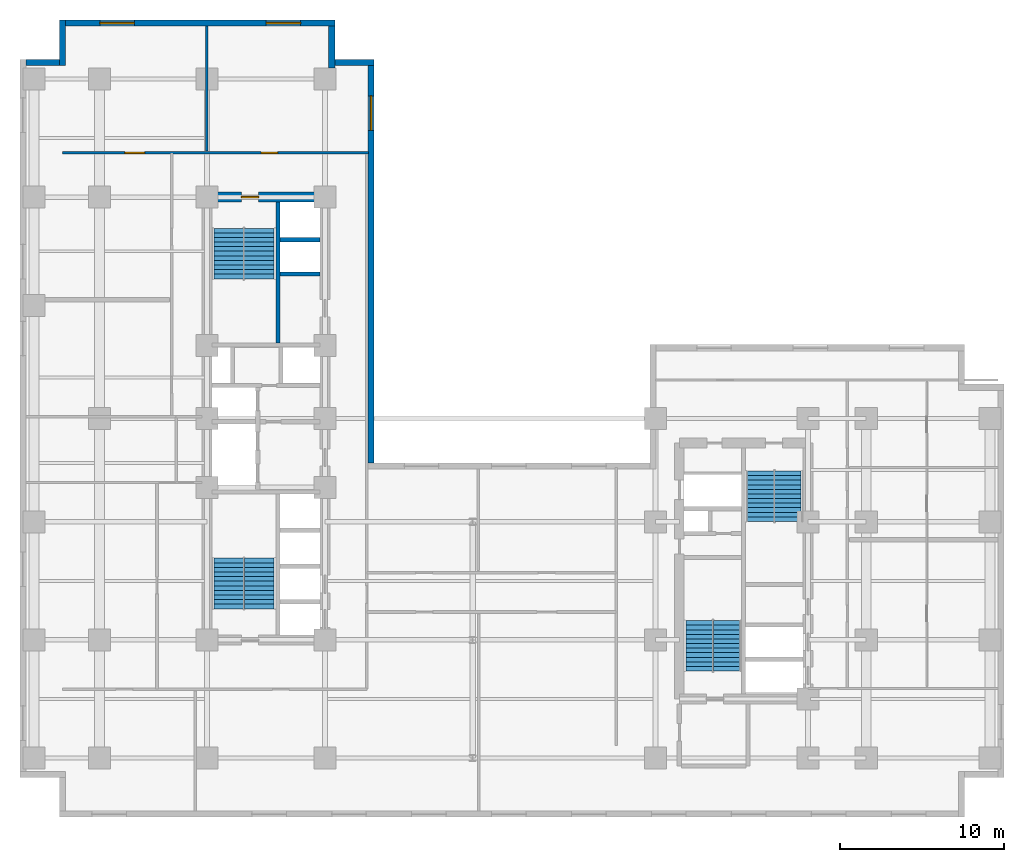
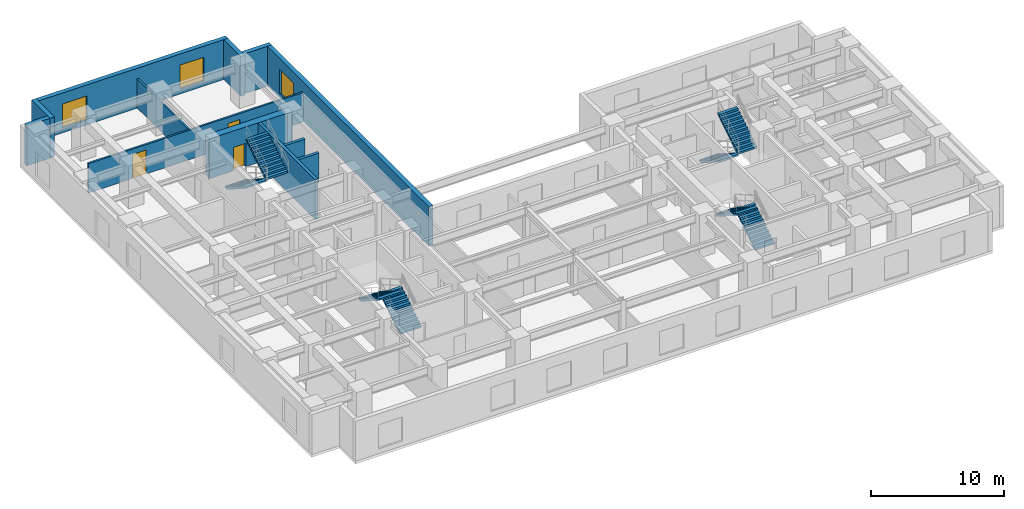
# One storey, part 6 of 9: 12 walls, 8 stair flights, 3 doors, 3 windows, 6 openings, 4 elements without a shape of their own.
"""IFC4 building model written with IfcOpenShell, lengths in metres."""

from ifc_helpers import new_model, entity, si_unit, converted_unit, direction, frame, origin_with_axes, origin_2d_with_axis, place, context, subcontext, project, spatial, polyline, rectangle, outline, extrude, material, layer, layer_set, type_object, element, fill, aggregate, save


model = new_model("IFC4")

# Units and contexts
model_context = context("Model", 3, precision=1e-05, world=origin_with_axes(), true_north=direction((0.0, 1.0)))
body_context = subcontext(model_context, "Body", "Model", "MODEL_VIEW")
ifc_project = project(units=[si_unit("LENGTHUNIT", "METRE"), si_unit("AREAUNIT", "SQUARE_METRE"), si_unit("VOLUMEUNIT", "CUBIC_METRE"), converted_unit("PLANEANGLEUNIT", "DEGREE", entity("IfcPlaneAngleMeasure", 0.017453292519943295), si_unit("PLANEANGLEUNIT", "RADIAN"), dimensions=[0, 0, 0, 0, 0, 0, 0]), si_unit("MASSUNIT", "GRAM", prefix="KILO"), si_unit("THERMODYNAMICTEMPERATUREUNIT", "KELVIN")], contexts=[model_context])

# Site, building, storey
site_placement = place(None, origin_with_axes())
site = spatial("IfcSite", under=ifc_project, at=site_placement, CompositionType="ELEMENT")
building_placement = place(site_placement, origin_with_axes())
building = spatial("IfcBuilding", under=site, at=building_placement, Name="Varnlund Millrace Tower", CompositionType="ELEMENT")
storey_placement = place(building_placement, frame((0.0, 0.0, 36.6), z_axis=(0.0, 0.0, 1.0), x_axis=(1.0, 0.0, 0.0)))
storey = spatial("IfcBuildingStorey", under=building, at=storey_placement, Name="L08", CompositionType="ELEMENT", Elevation=36.6)

# Wall, opening, door
ifc_material_1 = material(Name="Concrete C80/95", Category="concrete")
ifc_layer_1 = layer(ifc_material_1, 0.6, Name="Concrete C80/95")
ifc_layer_set_1 = layer_set([ifc_layer_1], Name="Concrete C80/95")
wall_type_1 = type_object("IfcWallType", Name="Type-CoreWall-Shear-600-C80", PredefinedType="SHEAR", material=ifc_layer_set_1)
wall_1_placement = place(storey_placement, frame((11.4, 37.8, 0.0), z_axis=(0.0, 0.0, 1.0), x_axis=(1.0, 0.0, 0.0)))
wall_1 = element("IfcWall", 1, at=wall_1_placement, inside=storey, type_object=wall_type_1, Name="Type-CoreWall-Shear-600-C80", PredefinedType="SHEAR", context=body_context, shape_type="SweptSolid", body=[
    extrude(outline(polyline([(0.0, -0.3), (7.2, -0.3), (7.2, 0.3), (0.0, 0.3), (0.0, -0.3)])), origin_with_axes(), (0.0, 0.0, 1.0), 3.66),
])
opening_1_placement = place(wall_1_placement, frame((2.625, 0.0, 0.0), z_axis=(0.0, 0.0, 1.0), x_axis=(1.0, 0.0, 0.0)))
opening_1 = element("IfcOpeningElement", 2, at=opening_1_placement, cuts=wall_1, Name="Opening L08:DR-STA2", PredefinedType="OPENING", context=body_context, shape_type="SweptSolid", body=[
    extrude(rectangle(XDim=1.05, YDim=0.62, at=origin_2d_with_axis()), origin_with_axes(), (0.0, 0.0, 1.0), 2.15),
])
ifc_material_2 = material(Name="Fire-rated hollow steel door", Category="steel")
door_type_1 = type_object("IfcDoorType", Name="Type-FireDoor-Stair-1050X2150", OperationType="NOTDEFINED", PredefinedType="DOOR", material=ifc_material_2)
door_1_placement = place(wall_1_placement, frame((2.625, 0.0, 0.0), z_axis=(0.0, 0.0, 1.0), x_axis=(1.0, 0.0, 0.0)))
door_1 = element("IfcDoor", 3, at=door_1_placement, inside=storey, type_object=door_type_1, Name="Type-FireDoor-Stair-1050X2150", OperationType="SINGLE_SWING_RIGHT", OverallHeight=2.15, OverallWidth=1.05, PredefinedType="DOOR", context=body_context, shape_type="SweptSolid", body=[
    extrude(rectangle(XDim=1.05, YDim=0.09, at=origin_2d_with_axis()), origin_with_axes(), (0.0, 0.0, 1.0), 2.15),
])
fill(opening_1, door_1)

# Walls
ifc_material_3 = material(Name="Precast concrete C50/60", Category="concrete")
ifc_layer_2 = layer(ifc_material_3, 0.38, Name="Precast concrete C50/60")
ifc_layer_set_2 = layer_set([ifc_layer_2], Name="Precast concrete C50/60")
wall_type_2 = type_object("IfcWallType", Name="Type-ExtWall-Precast-Tube-380", PredefinedType="SOLIDWALL", material=ifc_layer_set_2)
wall_2_placement = place(storey_placement, frame((0.38, 46.01, 0.0), z_axis=(0.0, 0.0, 1.0), x_axis=(1.0, 0.0, 0.0)))
element("IfcWall", 4, at=wall_2_placement, inside=storey, type_object=wall_type_2, Name="Type-ExtWall-Precast-Tube-380", PredefinedType="SOLIDWALL", context=body_context, shape_type="SweptSolid", body=[
    extrude(outline(polyline([(0.0, -0.19), (2.02, -0.19), (2.02, 0.19), (0.0, 0.19), (0.0, -0.19)])), origin_with_axes(), (0.0, 0.0, 1.0), 3.66),
])
wall_3_placement = place(storey_placement, frame((2.59, 45.82, 0.0), z_axis=(0.0, 0.0, 1.0), x_axis=(0.0, 1.0, 0.0)))
element("IfcWall", 5, at=wall_3_placement, inside=storey, type_object=wall_type_2, Name="Type-ExtWall-Precast-Tube-380", PredefinedType="SOLIDWALL", context=body_context, shape_type="SweptSolid", body=[
    extrude(outline(polyline([(0.0, -0.19), (2.78, -0.19), (2.78, 0.19), (0.0, 0.19), (0.0, -0.19)])), origin_with_axes(), (0.0, 0.0, 1.0), 3.66),
])

# Wall, openings, windows
wall_4_placement = place(storey_placement, frame((2.78, 48.41, 0.0), z_axis=(0.0, 0.0, 1.0), x_axis=(1.0, 0.0, 0.0)))
wall_4 = element("IfcWall", 6, at=wall_4_placement, inside=storey, type_object=wall_type_2, Name="Type-ExtWall-Precast-Tube-380", PredefinedType="SOLIDWALL", context=body_context, shape_type="SweptSolid", body=[
    extrude(outline(polyline([(0.0, -0.19), (16.42, -0.19), (16.42, 0.19), (0.0, 0.19), (0.0, -0.19)])), origin_with_axes(), (0.0, 0.0, 1.0), 3.66),
])
opening_2_placement = place(wall_4_placement, frame((3.137, 0.0, 0.45), z_axis=(0.0, 0.0, 1.0), x_axis=(1.0, 0.0, 0.0)))
opening_2 = element("IfcOpeningElement", 7, at=opening_2_placement, cuts=wall_4, Name="Opening L08:WN-20", PredefinedType="OPENING", context=body_context, shape_type="SweptSolid", body=[
    extrude(rectangle(XDim=2.1, YDim=0.4, at=origin_2d_with_axis()), origin_with_axes(), (0.0, 0.0, 1.0), 2.2),
])
opening_3_placement = place(wall_4_placement, frame((13.283, 0.0, 0.45), z_axis=(0.0, 0.0, 1.0), x_axis=(1.0, 0.0, 0.0)))
opening_3 = element("IfcOpeningElement", 8, at=opening_3_placement, cuts=wall_4, Name="Opening L08:WN-21", PredefinedType="OPENING", context=body_context, shape_type="SweptSolid", body=[
    extrude(rectangle(XDim=2.1, YDim=0.4, at=origin_2d_with_axis()), origin_with_axes(), (0.0, 0.0, 1.0), 2.2),
])
ifc_material_4 = material(Name="Argon low-e triple glazing in thermally broken bronze frame", Category="glass")
window_type = type_object("IfcWindowType", Name="Type-Window-Punched-2100X2200", PartitioningType="SINGLE_PANEL", PredefinedType="WINDOW", material=ifc_material_4)
window_1_placement = place(wall_4_placement, frame((3.137, 0.0, 0.45), z_axis=(0.0, 0.0, 1.0), x_axis=(1.0, 0.0, 0.0)))
window_1 = element("IfcWindow", 9, at=window_1_placement, inside=storey, type_object=window_type, Name="Type-Window-Punched-2100X2200", OverallHeight=2.2, OverallWidth=2.1, PredefinedType="WINDOW", context=body_context, shape_type="SweptSolid", body=[
    extrude(rectangle(XDim=2.1, YDim=0.09, at=origin_2d_with_axis()), origin_with_axes(), (0.0, 0.0, 1.0), 2.2),
])
fill(opening_2, window_1)
window_2_placement = place(wall_4_placement, frame((13.283, 0.0, 0.45), z_axis=(0.0, 0.0, 1.0), x_axis=(1.0, 0.0, 0.0)))
window_2 = element("IfcWindow", 10, at=window_2_placement, inside=storey, type_object=window_type, Name="Type-Window-Punched-2100X2200", OverallHeight=2.2, OverallWidth=2.1, PredefinedType="WINDOW", context=body_context, shape_type="SweptSolid", body=[
    extrude(rectangle(XDim=2.1, YDim=0.09, at=origin_2d_with_axis()), origin_with_axes(), (0.0, 0.0, 1.0), 2.2),
])
fill(opening_3, window_2)

# Walls
wall_5_placement = place(storey_placement, frame((19.01, 48.22, 0.0), z_axis=(0.0, 0.0, 1.0), x_axis=(0.0, -1.0, 0.0)))
element("IfcWall", 11, at=wall_5_placement, inside=storey, type_object=wall_type_2, Name="Type-ExtWall-Precast-Tube-380", PredefinedType="SOLIDWALL", context=body_context, shape_type="SweptSolid", body=[
    extrude(outline(polyline([(0.0, -0.19), (2.56, -0.19), (2.56, 0.19), (0.0, 0.19), (0.0, -0.19)])), origin_with_axes(), (0.0, 0.0, 1.0), 3.66),
])
wall_6_placement = place(storey_placement, frame((18.82, 46.01, 0.0), z_axis=(0.0, 0.0, 1.0), x_axis=(1.0, 0.0, 0.0)))
element("IfcWall", 12, at=wall_6_placement, inside=storey, type_object=wall_type_2, Name="Type-ExtWall-Precast-Tube-380", PredefinedType="SOLIDWALL", context=body_context, shape_type="SweptSolid", body=[
    extrude(outline(polyline([(0.0, -0.19), (2.78, -0.19), (2.78, 0.19), (0.0, 0.19), (0.0, -0.19)])), origin_with_axes(), (0.0, 0.0, 1.0), 3.66),
])

# Wall, opening, window
wall_7_placement = place(storey_placement, frame((21.41, 45.82, 0.0), z_axis=(0.0, 0.0, 1.0), x_axis=(0.0, -1.0, 0.0)))
wall_7 = element("IfcWall", 13, at=wall_7_placement, inside=storey, type_object=wall_type_2, Name="Type-ExtWall-Precast-Tube-380", PredefinedType="SOLIDWALL", context=body_context, shape_type="SweptSolid", body=[
    extrude(outline(polyline([(0.0, -0.19), (24.22, -0.19), (24.22, 0.19), (0.0, 0.19), (0.0, -0.19)])), origin_with_axes(), (0.0, 0.0, 1.0), 3.66),
])
opening_4_placement = place(wall_7_placement, frame((2.902, 0.0, 0.45), z_axis=(0.0, 0.0, 1.0), x_axis=(1.0, 0.0, 0.0)))
opening_4 = element("IfcOpeningElement", 14, at=opening_4_placement, cuts=wall_7, Name="Opening L08:WN-22", PredefinedType="OPENING", context=body_context, shape_type="SweptSolid", body=[
    extrude(rectangle(XDim=2.1, YDim=0.4, at=origin_2d_with_axis()), origin_with_axes(), (0.0, 0.0, 1.0), 2.2),
])
window_3_placement = place(wall_7_placement, frame((2.902, 0.0, 0.45), z_axis=(0.0, 0.0, 1.0), x_axis=(1.0, 0.0, 0.0)))
window_3 = element("IfcWindow", 15, at=window_3_placement, inside=storey, type_object=window_type, Name="Type-Window-Punched-2100X2200", OverallHeight=2.2, OverallWidth=2.1, PredefinedType="WINDOW", context=body_context, shape_type="SweptSolid", body=[
    extrude(rectangle(XDim=2.1, YDim=0.09, at=origin_2d_with_axis()), origin_with_axes(), (0.0, 0.0, 1.0), 2.2),
])
fill(opening_4, window_3)

# Wall, openings, doors
ifc_material_5 = material(Name="Fire-rated gypsum board on cold-formed steel framing", Category="steel")
ifc_layer_3 = layer(ifc_material_5, 0.16, Name="Fire-rated gypsum board on cold-formed steel framing")
ifc_layer_set_3 = layer_set([ifc_layer_3], Name="Fire-rated gypsum board on cold-formed steel framing")
wall_type_3 = type_object("IfcWallType", Name="Type-Partition-Corridor-160", PredefinedType="PARTITIONING", material=ifc_layer_set_3)
wall_8_placement = place(storey_placement, frame((2.6, 40.5, 0.0), z_axis=(0.0, 0.0, 1.0), x_axis=(1.0, 0.0, 0.0)))
wall_8 = element("IfcWall", 16, at=wall_8_placement, inside=storey, type_object=wall_type_3, Name="Type-Partition-Corridor-160", PredefinedType="PARTITIONING", context=body_context, shape_type="SweptSolid", body=[
    extrude(outline(polyline([(0.0, -0.08), (18.65, -0.08), (18.65, 0.08), (0.0, 0.08), (0.0, -0.08)])), origin_with_axes(), (0.0, 0.0, 1.0), 2.7),
])
opening_5_placement = place(wall_8_placement, frame((4.395, 0.0, 0.0), z_axis=(0.0, 0.0, 1.0), x_axis=(1.0, 0.0, 0.0)))
opening_5 = element("IfcOpeningElement", 17, at=opening_5_placement, cuts=wall_8, Name="Opening L08:DR-WAN-01", PredefinedType="OPENING", context=body_context, shape_type="SweptSolid", body=[
    extrude(rectangle(XDim=1.2, YDim=0.18, at=origin_2d_with_axis()), origin_with_axes(), (0.0, 0.0, 1.0), 2.2),
])
opening_6_placement = place(wall_8_placement, frame((12.61, 0.0, 0.0), z_axis=(0.0, 0.0, 1.0), x_axis=(1.0, 0.0, 0.0)))
opening_6 = element("IfcOpeningElement", 18, at=opening_6_placement, cuts=wall_8, Name="Opening L08:DR-WAN-02", PredefinedType="OPENING", context=body_context, shape_type="SweptSolid", body=[
    extrude(rectangle(XDim=1.0, YDim=0.18, at=origin_2d_with_axis()), origin_with_axes(), (0.0, 0.0, 1.0), 2.15),
])
ifc_material_6 = material(Name="Wide executive white oak acoustic door")
door_type_2 = type_object("IfcDoorType", Name="Type-IntDoor-Exec-1200X2200", OperationType="NOTDEFINED", PredefinedType="DOOR", material=ifc_material_6)
door_2_placement = place(wall_8_placement, frame((4.395, 0.0, 0.0), z_axis=(0.0, 0.0, 1.0), x_axis=(1.0, 0.0, 0.0)))
door_2 = element("IfcDoor", 19, at=door_2_placement, inside=storey, type_object=door_type_2, Name="Type-IntDoor-Exec-1200X2200", OperationType="SINGLE_SWING_LEFT", OverallHeight=2.2, OverallWidth=1.2, PredefinedType="DOOR", context=body_context, shape_type="SweptSolid", body=[
    extrude(rectangle(XDim=1.2, YDim=0.09, at=origin_2d_with_axis()), origin_with_axes(), (0.0, 0.0, 1.0), 2.2),
])
fill(opening_5, door_2)
ifc_material_7 = material(Name="Solid-core white oak and bronze frame door")
door_type_3 = type_object("IfcDoorType", Name="Type-IntDoor-Office-1000X2150", OperationType="NOTDEFINED", PredefinedType="DOOR", material=ifc_material_7)
door_3_placement = place(wall_8_placement, frame((12.61, 0.0, 0.0), z_axis=(0.0, 0.0, 1.0), x_axis=(1.0, 0.0, 0.0)))
door_3 = element("IfcDoor", 20, at=door_3_placement, inside=storey, type_object=door_type_3, Name="Type-IntDoor-Office-1000X2150", OperationType="SINGLE_SWING_RIGHT", OverallHeight=2.15, OverallWidth=1.0, PredefinedType="DOOR", context=body_context, shape_type="SweptSolid", body=[
    extrude(rectangle(XDim=1.0, YDim=0.09, at=origin_2d_with_axis()), origin_with_axes(), (0.0, 0.0, 1.0), 2.15),
])
fill(opening_6, door_3)

# Walls
ifc_material_8 = material(Name="Acoustic STC-50 gypsum board partition", Category="gypsum")
ifc_layer_4 = layer(ifc_material_8, 0.15, Name="Acoustic STC-50 gypsum board partition")
ifc_layer_set_4 = layer_set([ifc_layer_4], Name="Acoustic STC-50 gypsum board partition")
wall_type_4 = type_object("IfcWallType", Name="Type-Partition-Demising-150", PredefinedType="PARTITIONING", material=ifc_layer_set_4)
wall_9_placement = place(storey_placement, frame((11.4, 40.6, 0.0), z_axis=(0.0, 0.0, 1.0), x_axis=(0.0, 1.0, 0.0)))
element("IfcWall", 21, at=wall_9_placement, inside=storey, type_object=wall_type_4, Name="Type-Partition-Demising-150", PredefinedType="PARTITIONING", context=body_context, shape_type="SweptSolid", body=[
    extrude(outline(polyline([(0.0, -0.075), (7.64, -0.075), (7.64, 0.075), (0.0, 0.075), (0.0, -0.075)])), origin_with_axes(), (0.0, 0.0, 1.0), 2.7),
])
ifc_material_9 = material(Name="Concrete C60/75", Category="concrete")
ifc_layer_5 = layer(ifc_material_9, 0.25, Name="Concrete C60/75")
ifc_layer_set_5 = layer_set([ifc_layer_5], Name="Concrete C60/75")
wall_type_5 = type_object("IfcWallType", Name="Type-ShaftWall-Fire-250", PredefinedType="SOLIDWALL", material=ifc_layer_set_5)
for number, where, z_axis, x_axis, name in (
    (22, (15.84, 33.1, 0.0), (0.0, 0.0, 1.0), (1.0, 0.0, 0.0), "Type-ShaftWall-Fire-250"),
    (23, (15.84, 35.2, 0.0), (0.0, 0.0, 1.0), (1.0, 0.0, 0.0), "Type-ShaftWall-Fire-250"),
):
    element("IfcWall", number, at=place(storey_placement, frame(where, z_axis=z_axis, x_axis=x_axis)), inside=storey, type_object=wall_type_5, Name=name, PredefinedType="SOLIDWALL", context=body_context, shape_type="SweptSolid", body=[
        extrude(outline(polyline([(0.0, -0.125), (2.46, -0.125), (2.46, 0.125), (0.0, 0.125), (0.0, -0.125)])), origin_with_axes(), (0.0, 0.0, 1.0), 2.7),
    ])
wall_type_6 = type_object("IfcWallType", Name="Type-StairWall-Shear-250", PredefinedType="SHEAR", material=ifc_layer_set_5)
wall_10_placement = place(storey_placement, frame((15.725, 28.9, 0.0), z_axis=(0.0, 0.0, 1.0), x_axis=(0.0, 1.0, 0.0)))
element("IfcWall", 24, at=wall_10_placement, inside=storey, type_object=wall_type_6, Name="Type-StairWall-Shear-250", PredefinedType="SHEAR", context=body_context, shape_type="SweptSolid", body=[
    extrude(outline(polyline([(0.0, -0.125), (8.6, -0.125), (8.6, 0.125), (0.0, 0.125), (0.0, -0.125)])), origin_with_axes(), (0.0, 0.0, 1.0), 3.66),
])

# Stair, stair flights
ifc_material_10 = material(Name="Concrete C50/60", Category="concrete")
stair_type_1 = type_object("IfcStairType", Name="Type-Stair-Dogleg-165-390", PredefinedType="HALF_TURN_STAIR", material=ifc_material_10)
stair_1_placement = place(storey_placement, origin_with_axes())
stair_1 = element("IfcStair", 25, at=stair_1_placement, inside=storey, type_object=stair_type_1, Name="Type-Stair-Dogleg-165-390", PredefinedType="HALF_TURN_STAIR")
stair_flight_type_1 = type_object("IfcStairFlightType", Name="Type-Dogleg-Run-165-390", PredefinedType="STRAIGHT", material=ifc_material_3)
stair_flight_1_placement = place(storey_placement, frame((42.225, 8.9, 0.0), z_axis=(1.0, 0.0, 0.0), x_axis=(0.0, 1.0, 0.0)))
stair_flight_1 = element("IfcStairFlight", 26, at=stair_flight_1_placement, type_object=stair_flight_type_1, Name="ST-B1 flight 1", NumberOfRisers=11, NumberOfTreads=11, PredefinedType="STRAIGHT", RiserHeight=0.177273, TreadLength=0.28, context=body_context, shape_type="SweptSolid", body=[
    extrude(outline(polyline([(0.0, 0.0), (0.0, 0.177273), (0.28, 0.177273), (0.28, 0.354545), (0.56, 0.354545), (0.56, 0.531818), (0.84, 0.531818), (0.84, 0.709091), (1.12, 0.709091), (1.12, 0.886364), (1.4, 0.886364), (1.4, 1.063636), (1.68, 1.063636), (1.68, 1.240909), (1.96, 1.240909), (1.96, 1.418182), (2.24, 1.418182), (2.24, 1.595454), (2.52, 1.595454), (2.52, 1.772727), (2.8, 1.772727), (2.8, 1.95), (3.08, 1.95), (3.08, 1.8), (0.28, 0.0), (0.0, 0.0)])), origin_with_axes(), (0.0, 0.0, 1.0), 1.65),
])
stair_flight_2_placement = place(storey_placement, frame((42.275, 11.98, 1.95), z_axis=(-1.0, 0.0, 0.0), x_axis=(0.0, -1.0, 0.0)))
stair_flight_2 = element("IfcStairFlight", 27, at=stair_flight_2_placement, type_object=stair_flight_type_1, Name="ST-B1 flight 2", NumberOfRisers=11, NumberOfTreads=11, PredefinedType="STRAIGHT", RiserHeight=0.177273, TreadLength=0.28, context=body_context, shape_type="SweptSolid", body=[
    extrude(outline(polyline([(0.0, 0.0), (0.0, 0.177273), (0.28, 0.177273), (0.28, 0.354545), (0.56, 0.354545), (0.56, 0.531818), (0.84, 0.531818), (0.84, 0.709091), (1.12, 0.709091), (1.12, 0.886364), (1.4, 0.886364), (1.4, 1.063636), (1.68, 1.063636), (1.68, 1.240909), (1.96, 1.240909), (1.96, 1.418182), (2.24, 1.418182), (2.24, 1.595454), (2.52, 1.595454), (2.52, 1.772727), (2.8, 1.772727), (2.8, 1.95), (3.08, 1.95), (3.08, 1.8), (0.28, 0.0), (0.0, 0.0)])), origin_with_axes(), (0.0, 0.0, 1.0), 1.65),
])
aggregate(stair_1, [stair_flight_1, stair_flight_2])

stair_2_placement = place(storey_placement, origin_with_axes())
stair_2 = element("IfcStair", 28, at=stair_2_placement, inside=storey, type_object=stair_type_1, Name="Type-Stair-Dogleg-165-390", PredefinedType="HALF_TURN_STAIR")
stair_flight_3_placement = place(storey_placement, frame((46.025, 21.1, 0.0), z_axis=(-1.0, 0.0, 0.0), x_axis=(0.0, -1.0, 0.0)))
stair_flight_3 = element("IfcStairFlight", 29, at=stair_flight_3_placement, type_object=stair_flight_type_1, Name="ST-B2 flight 1", NumberOfRisers=11, NumberOfTreads=11, PredefinedType="STRAIGHT", RiserHeight=0.177273, TreadLength=0.28, context=body_context, shape_type="SweptSolid", body=[
    extrude(outline(polyline([(0.0, 0.0), (0.0, 0.177273), (0.28, 0.177273), (0.28, 0.354545), (0.56, 0.354545), (0.56, 0.531818), (0.84, 0.531818), (0.84, 0.709091), (1.12, 0.709091), (1.12, 0.886364), (1.4, 0.886364), (1.4, 1.063636), (1.68, 1.063636), (1.68, 1.240909), (1.96, 1.240909), (1.96, 1.418182), (2.24, 1.418182), (2.24, 1.595454), (2.52, 1.595454), (2.52, 1.772727), (2.8, 1.772727), (2.8, 1.95), (3.08, 1.95), (3.08, 1.8), (0.28, 0.0), (0.0, 0.0)])), origin_with_axes(), (0.0, 0.0, 1.0), 1.65),
])
stair_flight_4_placement = place(storey_placement, frame((45.975, 18.02, 1.95), z_axis=(1.0, 0.0, 0.0), x_axis=(0.0, 1.0, 0.0)))
stair_flight_4 = element("IfcStairFlight", 30, at=stair_flight_4_placement, type_object=stair_flight_type_1, Name="ST-B2 flight 2", NumberOfRisers=11, NumberOfTreads=11, PredefinedType="STRAIGHT", RiserHeight=0.177273, TreadLength=0.28, context=body_context, shape_type="SweptSolid", body=[
    extrude(outline(polyline([(0.0, 0.0), (0.0, 0.177273), (0.28, 0.177273), (0.28, 0.354545), (0.56, 0.354545), (0.56, 0.531818), (0.84, 0.531818), (0.84, 0.709091), (1.12, 0.709091), (1.12, 0.886364), (1.4, 0.886364), (1.4, 1.063636), (1.68, 1.063636), (1.68, 1.240909), (1.96, 1.240909), (1.96, 1.418182), (2.24, 1.418182), (2.24, 1.595454), (2.52, 1.595454), (2.52, 1.772727), (2.8, 1.772727), (2.8, 1.95), (3.08, 1.95), (3.08, 1.8), (0.28, 0.0), (0.0, 0.0)])), origin_with_axes(), (0.0, 0.0, 1.0), 1.65),
])
aggregate(stair_2, [stair_flight_3, stair_flight_4])

stair_type_2 = type_object("IfcStairType", Name="Type-Stair-Dogleg-185-390", PredefinedType="HALF_TURN_STAIR", material=ifc_material_10)
stair_3_placement = place(storey_placement, origin_with_axes())
stair_3 = element("IfcStair", 31, at=stair_3_placement, inside=storey, type_object=stair_type_2, Name="Type-Stair-Dogleg-185-390", PredefinedType="HALF_TURN_STAIR")
stair_flight_type_2 = type_object("IfcStairFlightType", Name="Type-Dogleg-Run-185-390", PredefinedType="STRAIGHT", material=ifc_material_3)
stair_flight_5_placement = place(storey_placement, frame((13.625, 12.7, 0.0), z_axis=(1.0, 0.0, 0.0), x_axis=(0.0, 1.0, 0.0)))
stair_flight_5 = element("IfcStairFlight", 32, at=stair_flight_5_placement, type_object=stair_flight_type_2, Name="ST-A1 flight 1", NumberOfRisers=11, NumberOfTreads=11, PredefinedType="STRAIGHT", RiserHeight=0.177273, TreadLength=0.28, context=body_context, shape_type="SweptSolid", body=[
    extrude(outline(polyline([(0.0, 0.0), (0.0, 0.177273), (0.28, 0.177273), (0.28, 0.354545), (0.56, 0.354545), (0.56, 0.531818), (0.84, 0.531818), (0.84, 0.709091), (1.12, 0.709091), (1.12, 0.886364), (1.4, 0.886364), (1.4, 1.063636), (1.68, 1.063636), (1.68, 1.240909), (1.96, 1.240909), (1.96, 1.418182), (2.24, 1.418182), (2.24, 1.595454), (2.52, 1.595454), (2.52, 1.772727), (2.8, 1.772727), (2.8, 1.95), (3.08, 1.95), (3.08, 1.8), (0.28, 0.0), (0.0, 0.0)])), origin_with_axes(), (0.0, 0.0, 1.0), 1.85),
])
stair_flight_6_placement = place(storey_placement, frame((13.675, 15.78, 1.95), z_axis=(-1.0, 0.0, 0.0), x_axis=(0.0, -1.0, 0.0)))
stair_flight_6 = element("IfcStairFlight", 33, at=stair_flight_6_placement, type_object=stair_flight_type_2, Name="ST-A1 flight 2", NumberOfRisers=11, NumberOfTreads=11, PredefinedType="STRAIGHT", RiserHeight=0.177273, TreadLength=0.28, context=body_context, shape_type="SweptSolid", body=[
    extrude(outline(polyline([(0.0, 0.0), (0.0, 0.177273), (0.28, 0.177273), (0.28, 0.354545), (0.56, 0.354545), (0.56, 0.531818), (0.84, 0.531818), (0.84, 0.709091), (1.12, 0.709091), (1.12, 0.886364), (1.4, 0.886364), (1.4, 1.063636), (1.68, 1.063636), (1.68, 1.240909), (1.96, 1.240909), (1.96, 1.418182), (2.24, 1.418182), (2.24, 1.595454), (2.52, 1.595454), (2.52, 1.772727), (2.8, 1.772727), (2.8, 1.95), (3.08, 1.95), (3.08, 1.8), (0.28, 0.0), (0.0, 0.0)])), origin_with_axes(), (0.0, 0.0, 1.0), 1.85),
])
aggregate(stair_3, [stair_flight_5, stair_flight_6])

stair_4_placement = place(storey_placement, origin_with_axes())
stair_4 = element("IfcStair", 34, at=stair_4_placement, inside=storey, type_object=stair_type_2, Name="Type-Stair-Dogleg-185-390", PredefinedType="HALF_TURN_STAIR")
stair_flight_7_placement = place(storey_placement, frame((13.675, 35.9, 0.0), z_axis=(-1.0, 0.0, 0.0), x_axis=(0.0, -1.0, 0.0)))
stair_flight_7 = element("IfcStairFlight", 35, at=stair_flight_7_placement, type_object=stair_flight_type_2, Name="ST-A2 flight 1", NumberOfRisers=11, NumberOfTreads=11, PredefinedType="STRAIGHT", RiserHeight=0.177273, TreadLength=0.28, context=body_context, shape_type="SweptSolid", body=[
    extrude(outline(polyline([(0.0, 0.0), (0.0, 0.177273), (0.28, 0.177273), (0.28, 0.354545), (0.56, 0.354545), (0.56, 0.531818), (0.84, 0.531818), (0.84, 0.709091), (1.12, 0.709091), (1.12, 0.886364), (1.4, 0.886364), (1.4, 1.063636), (1.68, 1.063636), (1.68, 1.240909), (1.96, 1.240909), (1.96, 1.418182), (2.24, 1.418182), (2.24, 1.595454), (2.52, 1.595454), (2.52, 1.772727), (2.8, 1.772727), (2.8, 1.95), (3.08, 1.95), (3.08, 1.8), (0.28, 0.0), (0.0, 0.0)])), origin_with_axes(), (0.0, 0.0, 1.0), 1.85),
])
stair_flight_8_placement = place(storey_placement, frame((13.625, 32.82, 1.95), z_axis=(1.0, 0.0, 0.0), x_axis=(0.0, 1.0, 0.0)))
stair_flight_8 = element("IfcStairFlight", 36, at=stair_flight_8_placement, type_object=stair_flight_type_2, Name="ST-A2 flight 2", NumberOfRisers=11, NumberOfTreads=11, PredefinedType="STRAIGHT", RiserHeight=0.177273, TreadLength=0.28, context=body_context, shape_type="SweptSolid", body=[
    extrude(outline(polyline([(0.0, 0.0), (0.0, 0.177273), (0.28, 0.177273), (0.28, 0.354545), (0.56, 0.354545), (0.56, 0.531818), (0.84, 0.531818), (0.84, 0.709091), (1.12, 0.709091), (1.12, 0.886364), (1.4, 0.886364), (1.4, 1.063636), (1.68, 1.063636), (1.68, 1.240909), (1.96, 1.240909), (1.96, 1.418182), (2.24, 1.418182), (2.24, 1.595454), (2.52, 1.595454), (2.52, 1.772727), (2.8, 1.772727), (2.8, 1.95), (3.08, 1.95), (3.08, 1.8), (0.28, 0.0), (0.0, 0.0)])), origin_with_axes(), (0.0, 0.0, 1.0), 1.85),
])
aggregate(stair_4, [stair_flight_7, stair_flight_8])

save(model, "model.ifc")
